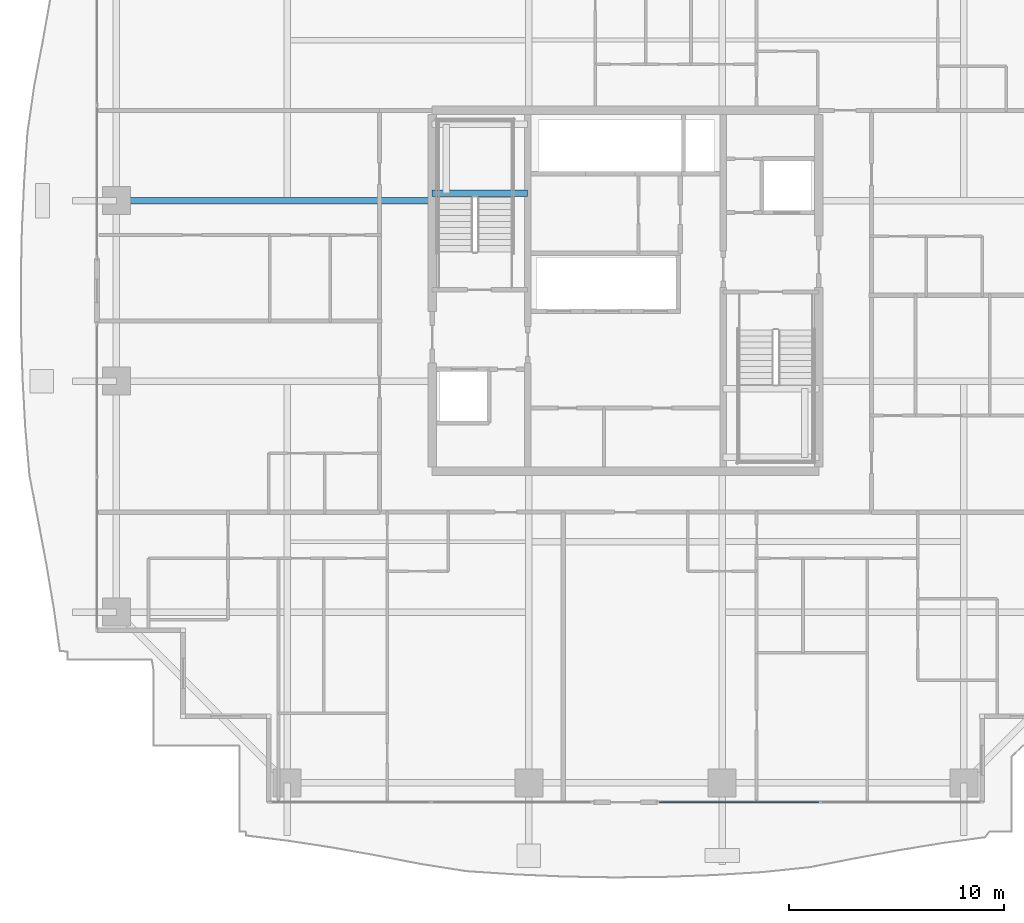
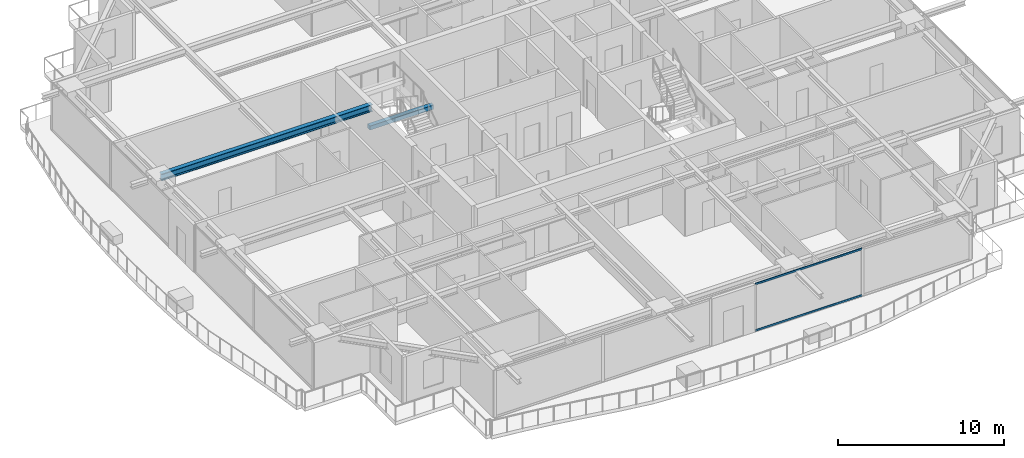
# One storey, part 10 of 34: 2 beams, 2 members, 1 element without a shape of its own.
"""IFC4 building model written with IfcOpenShell, lengths in metres."""

from ifc_helpers import new_model, si_unit, direction, frame, origin, origin_2d, place, context, subcontext, project, spatial, rectangle, hollow_rectangle, i_section, extrude, source, transform, mapped, material, layer, layer_set, material_profile, profile_set, type_object, element, aggregate, save


model = new_model("IFC4")

# Units and contexts
model_context = context("Model", 3, precision=1e-05, world=origin(), true_north=direction((0.0, 1.0)))
body_context = subcontext(model_context, "Body", "Model", "MODEL_VIEW")
ifc_project = project(units=[si_unit("LENGTHUNIT", "METRE"), si_unit("AREAUNIT", "SQUARE_METRE"), si_unit("VOLUMEUNIT", "CUBIC_METRE"), si_unit("PLANEANGLEUNIT", "RADIAN"), si_unit("MASSUNIT", "GRAM", prefix="KILO")], contexts=[model_context])

# Site, building, storey
site_placement = place(None, origin())
site = spatial("IfcSite", under=ifc_project, at=site_placement, CompositionType="ELEMENT")
building_placement = place(site_placement, origin())
building = spatial("IfcBuilding", under=site, at=building_placement, Name="Serunith Strait Residences", CompositionType="ELEMENT")
storey_placement = place(building_placement, frame((0.0, 0.0, 142.64990234375)))
storey = spatial("IfcBuildingStorey", under=building, at=storey_placement, Name="L35", CompositionType="ELEMENT", Elevation=142.64990234375)

# Beams
ifc_material_1 = material(Name="Steel S355J2", Category="steel")
ifc_material_profile_1 = material_profile(ifc_material_1, i_section(OverallWidth=0.300048828125, OverallDepth=0.5, WebThickness=0.014404296875, FlangeThickness=0.028076171875, FilletRadius=0.027099609375, at=origin_2d()), Name="HEB 500")
ifc_profile_set_1 = profile_set([ifc_material_profile_1], Name="Steel S355J2")
beam_type_1 = type_object("IfcBeamType", Name="BM-HEB500", PredefinedType="BEAM", material=ifc_profile_set_1)
shared_shape_1 = source(origin(), body_context, "Body", "SweptSolid", [
    extrude(i_section(OverallWidth=0.300048828125, OverallDepth=0.5, WebThickness=0.014404296875, FlangeThickness=0.028076171875, FilletRadius=0.027099609375, at=origin_2d()), origin(), (0.0, 0.0, 1.0), 14.699951171875),
])
beam_1_placement = place(storey_placement, frame((23.39990234375, 29.39990234375, 3.237060546875), z_axis=(-1.0, 0.0, 0.0), x_axis=(0.0, -1.0, 0.0)))
element("IfcBeam", 1, at=beam_1_placement, inside=storey, type_object=beam_type_1, Name="L35 Primary Floor Girder TC-W3", PredefinedType="BEAM", context=body_context, shape_type="MappedRepresentation", body=[
    mapped(shared_shape_1, transform((0.0, 0.0, 0.0), scale=1.0)),
])
ifc_material_2 = material(Name="Concrete C60/75", Category="concrete")
ifc_material_profile_2 = material_profile(ifc_material_2, rectangle(XDim=0.300048828125, YDim=0.300048828125, at=origin_2d()), Name="RC 300x300")
ifc_profile_set_2 = profile_set([ifc_material_profile_2], Name="Concrete C60/75")
beam_type_2 = type_object("IfcBeamType", Name="BM-LAND-300x300", PredefinedType="BEAM", material=ifc_profile_set_2)
shared_shape_2 = source(origin(), body_context, "Body", "SweptSolid", [
    extrude(rectangle(XDim=0.300048828125, YDim=0.300048828125, at=origin_2d()), origin(), (0.0, 0.0, 1.0), 4.4501953125),
])
beam_2_placement = place(storey_placement, frame((23.39990234375, 29.75, 1.525146484375), z_axis=(1.0, 0.0, 0.0), x_axis=(0.0, 1.0, 0.0)))
element("IfcBeam", 2, at=beam_2_placement, inside=storey, type_object=beam_type_2, Name="L35 ST-1 Landing Support Beam 1", PredefinedType="BEAM", context=body_context, shape_type="MappedRepresentation", body=[
    mapped(shared_shape_2, transform((0.0, 0.0, 0.0), scale=1.0)),
])

# Curtain wall, members
ifc_material_3 = material(Name="Pale-Champagne Anodised Aluminium", Category="aluminium")
ifc_layer = layer(ifc_material_3, 0.199951171875, Name="Pale-Champagne Anodised Aluminium")
ifc_layer_set = layer_set([ifc_layer], Name="Pale-Champagne Anodised Aluminium")
curtain_wall_type = type_object("IfcCurtainWallType", Name="CW-SYS2", PredefinedType="NOTDEFINED", material=ifc_layer_set)
curtain_wall_placement = place(storey_placement, origin())
curtain_wall = element("IfcCurtainWall", 3, at=curtain_wall_placement, inside=storey, type_object=curtain_wall_type, Name="L35 S Unitised Fritted Curtain Wall", PredefinedType="NOTDEFINED")
ifc_material_profile_3 = material_profile(ifc_material_3, hollow_rectangle(XDim=0.06005859375, YDim=0.139892578125, WallThickness=0.00341796875, InnerFilletRadius=0.00537109375, OuterFilletRadius=0.0087890625, at=origin_2d()), Name="ALU 140x60x3.5")
ifc_profile_set_3 = profile_set([ifc_material_profile_3], Name="Pale-Champagne Anodised Aluminium")
member_type = type_object("IfcMemberType", Name="CW-SYS2-TRAN", PredefinedType="USERDEFINED", material=ifc_profile_set_3)
shared_shape_3 = source(origin(), body_context, "Body", "SweptSolid", [
    extrude(hollow_rectangle(XDim=0.06005859375, YDim=0.139892578125, WallThickness=0.00341796875, InnerFilletRadius=0.00537109375, OuterFilletRadius=0.0087890625, at=origin_2d()), origin(), (0.0, 0.0, 1.0), 7.445068359375),
])
member_1_placement = place(storey_placement, frame((33.969970703125, 1.39990234375, 0.030029296875), z_axis=(1.0, 0.0, 0.0), x_axis=(0.0, 1.0, 0.0)))
member_1 = element("IfcMember", 4, at=member_1_placement, type_object=member_type, Name="CW-2 transom 1.1", ObjectType="TRANSOM", PredefinedType="USERDEFINED", context=body_context, shape_type="MappedRepresentation", body=[
    mapped(shared_shape_3, transform((0.0, 0.0, 0.0), scale=1.0)),
])
member_2_placement = place(storey_placement, frame((33.969970703125, 1.39990234375, 3.445068359375), z_axis=(1.0, 0.0, 0.0), x_axis=(0.0, 1.0, 0.0)))
member_2 = element("IfcMember", 5, at=member_2_placement, type_object=member_type, Name="CW-2 transom 1.2", ObjectType="TRANSOM", PredefinedType="USERDEFINED", context=body_context, shape_type="MappedRepresentation", body=[
    mapped(shared_shape_3, transform((0.0, 0.0, 0.0), scale=1.0)),
])
aggregate(curtain_wall, [member_1, member_2])

save(model, "model.ifc")
